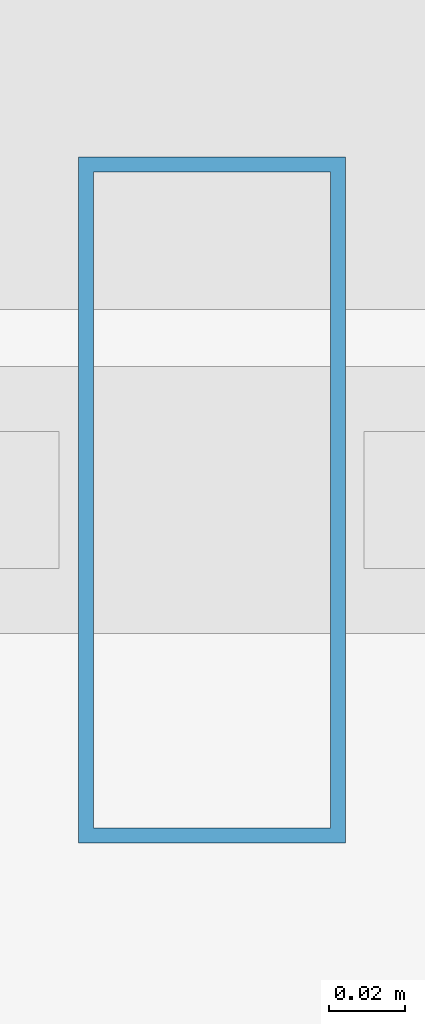
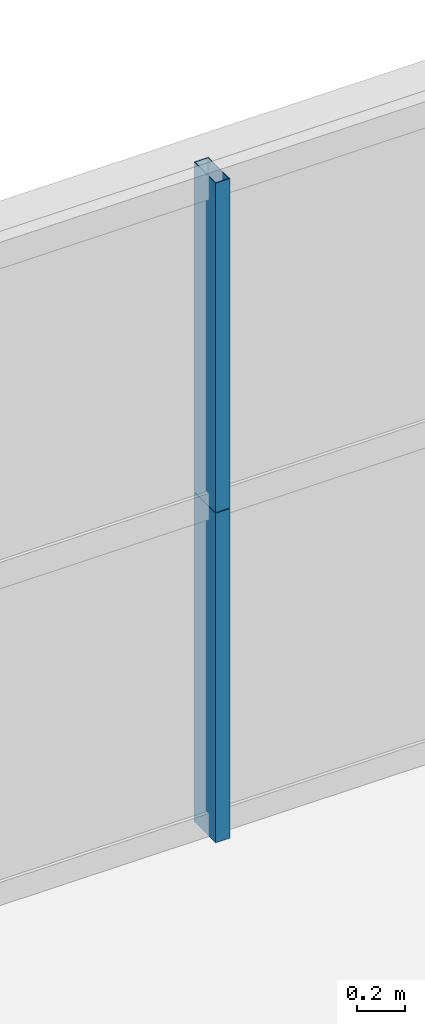
# One storey, part 35 of 43: 2 members, 1 element without a shape of its own.
"""IFC4 building model written with IfcOpenShell, lengths in metres."""

from ifc_helpers import new_model, si_unit, direction, frame, origin, origin_2d, place, context, subcontext, project, spatial, hollow_rectangle, extrude, source, transform, mapped, material, layer, layer_set, material_profile, profile_set, type_object, element, aggregate, save


model = new_model("IFC4")

# Units and contexts
model_context = context("Model", 3, precision=1e-05, world=origin(), true_north=direction((0.0, 1.0)))
body_context = subcontext(model_context, "Body", "Model", "MODEL_VIEW")
ifc_project = project(units=[si_unit("LENGTHUNIT", "METRE"), si_unit("AREAUNIT", "SQUARE_METRE"), si_unit("VOLUMEUNIT", "CUBIC_METRE"), si_unit("PLANEANGLEUNIT", "RADIAN"), si_unit("MASSUNIT", "GRAM", prefix="KILO"), si_unit("THERMODYNAMICTEMPERATUREUNIT", "KELVIN"), si_unit("POWERUNIT", "WATT")], contexts=[model_context])

# Site, building, storey
site_placement = place(None, origin())
site = spatial("IfcSite", under=ifc_project, at=site_placement, CompositionType="ELEMENT")
building_placement = place(site_placement, origin())
building = spatial("IfcBuilding", under=site, at=building_placement, Name="Yuzanri Waterfront Tower", CompositionType="ELEMENT")
storey_placement = place(building_placement, frame((0.0, 0.0, 64.0)))
storey = spatial("IfcBuildingStorey", under=building, at=storey_placement, Name="L16", CompositionType="ELEMENT", Elevation=64.0)

# Curtain wall, members
ifc_material_1 = material(Name="Anodized Architectural Bronze", Category="metal")
ifc_layer = layer(ifc_material_1, 0.159912109375)
ifc_layer_set = layer_set([ifc_layer], Name="Anodized Architectural Bronze")
curtain_wall_type = type_object("IfcCurtainWallType", Name="Anodized Bronze Hotel Lower-Tier Recessed Unitized Curtain Wall 8100", PredefinedType="NOTDEFINED", material=ifc_layer_set)
curtain_wall_placement = place(storey_placement, origin())
curtain_wall = element("IfcCurtainWall", 1, at=curtain_wall_placement, inside=storey, type_object=curtain_wall_type, Name="L16 Curtain Wall CW-L16-NR", PredefinedType="NOTDEFINED")
ifc_material_2 = material(Name="Anodized Architectural Bronze", Category="metal")
ifc_material_profile = material_profile(ifc_material_2, hollow_rectangle(XDim=0.070068359375, YDim=0.179931640625, WallThickness=0.00390625, at=origin_2d()), Name="CWM 70x180")
ifc_profile_set = profile_set([ifc_material_profile], Name="Anodized Architectural Bronze")
member_type = type_object("IfcMemberType", Name="Anodized Bronze Standard Curtain-Wall Mullion 70x180", PredefinedType="MULLION", material=ifc_profile_set)
shared_shape = source(origin(), body_context, "Body", "SweptSolid", [
    extrude(hollow_rectangle(XDim=0.070068359375, YDim=0.179931640625, WallThickness=0.00390625, at=origin_2d()), origin(), (0.0, 0.0, 1.0), 1.68798828125),
])
member_1_placement = place(storey_placement, frame((46.10009765625, 50.75, 0.0), z_axis=(0.0, 0.0, 1.0), x_axis=(1.0, 0.0, 0.0)))
member_1 = element("IfcMember", 2, at=member_1_placement, type_object=member_type, Name="CW-L16-NR Lower Mullion 01", PredefinedType="MULLION", context=body_context, shape_type="MappedRepresentation", body=[
    mapped(shared_shape, transform((0.0, 0.0, 0.0), scale=1.0)),
])
member_2_placement = place(storey_placement, frame((46.10009765625, 50.75, 1.69189453125), z_axis=(0.0, 0.0, 1.0), x_axis=(1.0, 0.0, 0.0)))
member_2 = element("IfcMember", 3, at=member_2_placement, type_object=member_type, Name="CW-L16-NR Upper Mullion 01", PredefinedType="MULLION", context=body_context, shape_type="MappedRepresentation", body=[
    mapped(shared_shape, transform((0.0, 0.0, 0.0), scale=1.0)),
])
aggregate(curtain_wall, [member_1, member_2])

save(model, "model.ifc")
